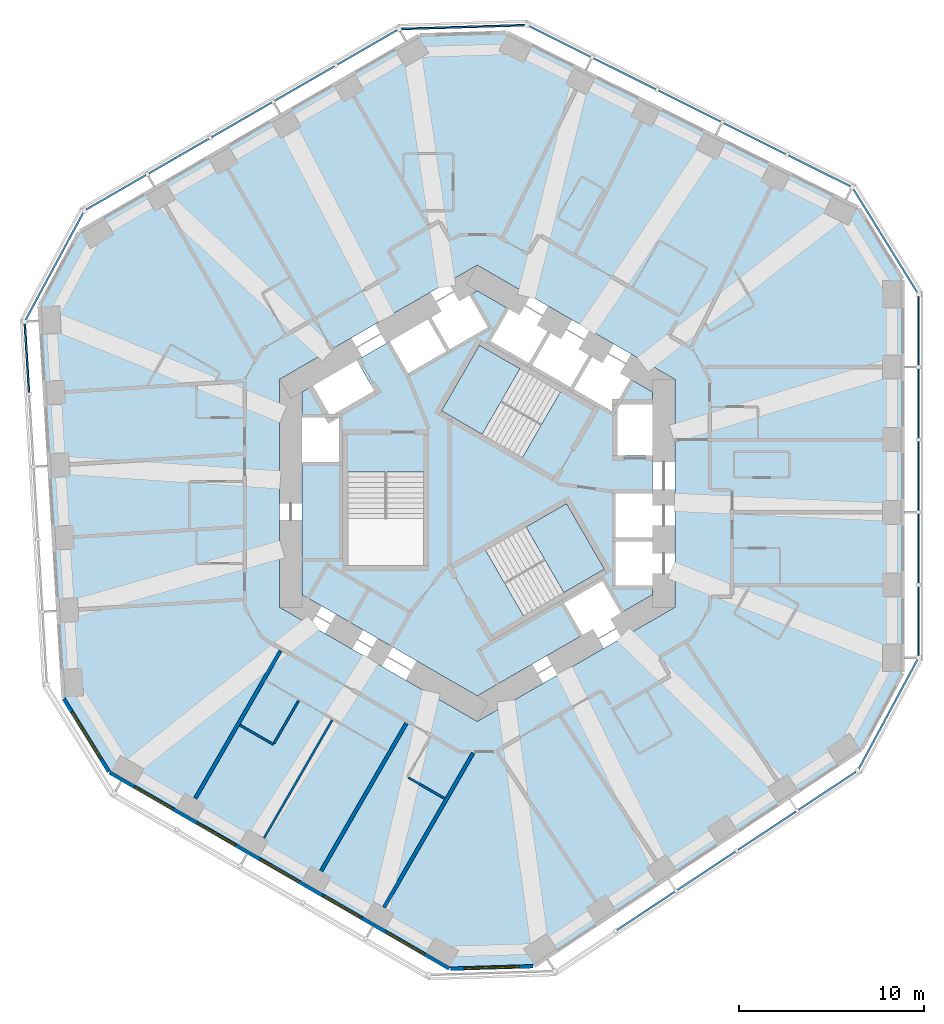
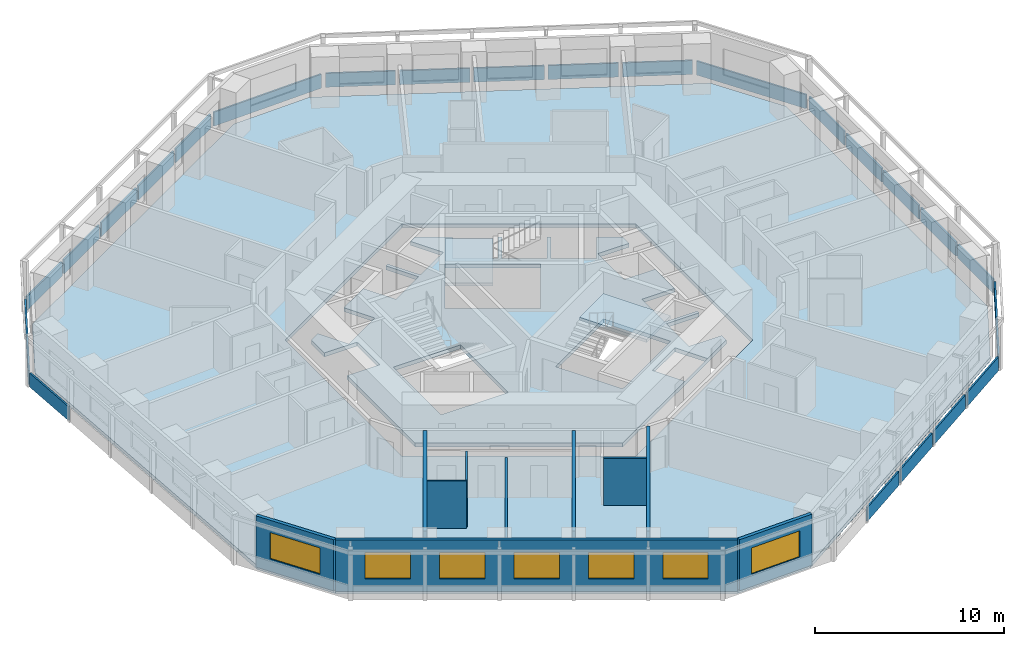
# One storey, part 3 of 12: 24 plates, 10 walls, 7 windows, 4 slabs, 7 openings, 11 elements without a shape of their own.
"""IFC4 building model written with IfcOpenShell, lengths in metres."""

from ifc_helpers import new_model, si_unit, direction, frame, frame_2d, origin, origin_2d, place, context, subcontext, project, spatial, polyline, rectangle, outline, extrude, material, layer, layer_set, type_object, element, fill, aggregate, save


model = new_model("IFC4")

# Units and contexts
model_context = context("Model", 3, precision=1e-05, world=origin(), true_north=direction((0.0, 1.0)))
body_context = subcontext(model_context, "Body", "Model", "MODEL_VIEW")
ifc_project = project(units=[si_unit("LENGTHUNIT", "METRE"), si_unit("AREAUNIT", "SQUARE_METRE"), si_unit("VOLUMEUNIT", "CUBIC_METRE"), si_unit("PLANEANGLEUNIT", "RADIAN"), si_unit("MASSUNIT", "GRAM", prefix="KILO")], contexts=[model_context])

# Site, building, storey
site_placement = place(None, origin())
site = spatial("IfcSite", under=ifc_project, at=site_placement, CompositionType="ELEMENT")
building_placement = place(site_placement, origin())
building = spatial("IfcBuilding", under=site, at=building_placement, Name="Vanh Sen Convention Tower", CompositionType="ELEMENT")
storey_placement = place(building_placement, frame((0.0, 0.0, 57.199951171875)))
storey = spatial("IfcBuildingStorey", under=building, at=storey_placement, Name="L11", CompositionType="ELEMENT", Elevation=57.199951171875)

# Slabs
ifc_material_1 = material(Name="Concrete C40/50", Category="concrete")
ifc_layer_1 = layer(ifc_material_1, 0.25)
ifc_layer_set_1 = layer_set([ifc_layer_1], Name="Concrete C40/50")
slab_type_1 = type_object("IfcSlabType", Name="Core slab 250", PredefinedType="FLOOR", material=ifc_layer_set_1)
slab_1_placement = place(storey_placement, frame((0.0, 0.0, -0.25)))
element("IfcSlab", 1, at=slab_1_placement, inside=storey, type_object=slab_type_1, Name="Core slab L11", PredefinedType="FLOOR", context=body_context, shape_type="SweptSolid", body=[
    extrude(outline(polyline([(9.5, 5.48486328125), (9.5, 4.800048828125), (7.60009765625, 4.800048828125), (7.60009765625, 2.050048828125), (9.5, 2.050048828125), (9.5, 0.0), (7.5, 0.0), (7.5, -2.39990234375), (9.5, -2.39990234375), (9.5, -2.60009765625), (7.5, -2.60009765625), (7.5, -5.0), (9.5, -5.0), (9.5, -5.48486328125), (0.0, -10.9697265625), (-9.5, -5.48486328125), (-9.5, 1.699951171875), (-7.5, 1.699951171875), (-7.5, 4.10009765625), (-9.5, 4.10009765625), (-9.5, 5.48486328125), (-8.906982421875, 5.8271484375), (-7.956787109375, 4.181884765625), (-5.575439453125, 5.556884765625), (-6.525390625, 7.2021484375), (-4.75, 8.227294921875), (-3.75, 6.4951171875), (-1.67138671875, 7.6953125), (-2.67138671875, 9.42724609375), (-2.498291015625, 9.527099609375), (-1.498291015625, 7.795166015625), (0.580078125, 8.9951171875), (-0.419921875, 10.727294921875), (0.0, 10.9697265625), (1.718994140625, 9.977294921875), (0.718994140625, 8.2451171875), (2.79736328125, 7.045166015625), (3.79736328125, 8.777099609375), (3.970703125, 8.67724609375), (2.970703125, 6.9453125), (5.049072265625, 5.7451171875), (6.049072265625, 7.477294921875), (6.22216796875, 7.377197265625), (5.22216796875, 5.645263671875), (7.30078125, 4.4453125), (8.30078125, 6.17724609375), (9.5, 5.48486328125)]), holes=[polyline([(-7.0, 3.14990234375), (-7.0, -3.909912109375), (-2.89990234375, -3.909912109375), (-2.89990234375, 3.14990234375), (-2.89990234375, 1.1494140625), (-7.0, 1.1494140625), (-7.0, 3.14990234375)]), polyline([(4.495361328125, 5.487548828125), (6.22802734375, 4.4873046875), (0.11376953125, 8.01708984375), (-1.936279296875, 4.466552734375), (2.4453125, 1.936767578125), (4.495361328125, 5.487548828125)]), polyline([(7.781005859375, -6.477294921875), (6.781005859375, -4.7451171875), (4.70263671875, -5.9453125), (5.70263671875, -7.67724609375), (7.781005859375, -6.477294921875)]), polyline([(0.45458984375, -3.086181640625), (2.504638671875, -6.63671875), (6.88623046875, -4.107177734375), (4.836181640625, -0.556396484375), (-1.278076171875, -4.08642578125), (0.45458984375, -3.086181640625)])]), origin(), (0.0, 0.0, 1.0), 0.25),
])
ifc_layer_2 = layer(ifc_material_1, 0.25)
ifc_layer_set_2 = layer_set([ifc_layer_2], Name="Concrete C40/50")
slab_type_2 = type_object("IfcSlabType", Name="Floor slab 250 REI 120", PredefinedType="FLOOR", material=ifc_layer_set_2)
slab_2_placement = place(storey_placement, frame((0.0, 0.0, -0.25)))
element("IfcSlab", 2, at=slab_2_placement, inside=storey, type_object=slab_type_2, Name="Floor slab L11 tower", PredefinedType="FLOOR", context=body_context, shape_type="SweptSolid", body=[
    extrude(outline(polyline([(23.0, -9.69921875), (23.0, 11.57373046875), (20.620361328125, 15.419189453125), (1.58251953125, 24.911376953125), (-3.10009765625, 24.768310546875), (-21.523193359375, 14.131591796875), (-23.663818359375, 10.14794921875), (-22.364990234375, -11.085205078125), (-19.89990234375, -15.069091796875), (-1.476806640625, -25.705322265625), (3.04345703125, -25.5673828125), (20.78271484375, -13.825927734375), (23.0, -9.69921875)]), holes=[polyline([(0.0, 12.355224609375), (-10.699951171875, 6.177490234375), (-10.699951171875, -6.177490234375), (0.0, -12.355224609375), (10.699951171875, -6.177490234375), (10.699951171875, 6.177490234375), (0.0, 12.355224609375)])]), origin(), (0.0, 0.0, 1.0), 0.25),
])

# Curtain wall, plates
ifc_material_2 = material(Name="Concrete C50/60", Category="concrete")
curtain_wall_type = type_object("IfcCurtainWallType", Name="Outer skin hotel zone", PredefinedType="NOTDEFINED", material=ifc_material_2)
curtain_wall_1_placement = place(storey_placement, origin())
curtain_wall_1 = element("IfcCurtainWall", 3, at=curtain_wall_1_placement, inside=storey, type_object=curtain_wall_type, Name="OUTER SKIN E L11", PredefinedType="NOTDEFINED")
ifc_layer_3 = layer(ifc_material_2, 0.10009765625)
ifc_layer_set_3 = layer_set([ifc_layer_3], Name="Concrete C50/60")
plate_type = type_object("IfcPlateType", Name="Outer skin precast screen panel 100", PredefinedType="CURTAIN_PANEL", material=ifc_layer_set_3)
plate_1_placement = place(storey_placement, frame((23.89990234375, -6.91943359375, 0.0), z_axis=(0.0, 0.0, 1.0), x_axis=(0.0, 1.0, 0.0)))
plate_1 = element("IfcPlate", 4, at=plate_1_placement, type_object=plate_type, Name="OUTER SKIN screen panel E-1", PredefinedType="CURTAIN_PANEL", context=body_context, shape_type="SweptSolid", body=[
    extrude(rectangle(XDim=3.709716796875, YDim=0.10009765625, at=origin_2d()), origin(), (0.0, 0.0, 1.0), 0.89990234375),
])
plate_2_placement = place(storey_placement, frame((23.89990234375, -2.997314453125, 0.0), z_axis=(0.0, 0.0, 1.0), x_axis=(0.0, 1.0, 0.0)))
plate_2 = element("IfcPlate", 5, at=plate_2_placement, type_object=plate_type, Name="OUTER SKIN screen panel E-2", PredefinedType="CURTAIN_PANEL", context=body_context, shape_type="SweptSolid", body=[
    extrude(rectangle(XDim=3.734619140625, YDim=0.10009765625, at=origin_2d()), origin(), (0.0, 0.0, 1.0), 0.89990234375),
])
plate_3_placement = place(storey_placement, frame((23.89990234375, 0.937255859375, 0.0), z_axis=(0.0, 0.0, 1.0), x_axis=(0.0, 1.0, 0.0)))
plate_3 = element("IfcPlate", 6, at=plate_3_placement, type_object=plate_type, Name="OUTER SKIN screen panel E-3", PredefinedType="CURTAIN_PANEL", context=body_context, shape_type="SweptSolid", body=[
    extrude(rectangle(XDim=3.734619140625, YDim=0.10009765625, at=origin_2d()), origin(), (0.0, 0.0, 1.0), 0.89990234375),
])
plate_4_placement = place(storey_placement, frame((23.89990234375, 4.871826171875, 0.0), z_axis=(0.0, 0.0, 1.0), x_axis=(0.0, 1.0, 0.0)))
plate_4 = element("IfcPlate", 7, at=plate_4_placement, type_object=plate_type, Name="OUTER SKIN screen panel E-4", PredefinedType="CURTAIN_PANEL", context=body_context, shape_type="SweptSolid", body=[
    extrude(rectangle(XDim=3.734619140625, YDim=0.10009765625, at=origin_2d()), origin(), (0.0, 0.0, 1.0), 0.89990234375),
])
plate_5_placement = place(storey_placement, frame((23.89990234375, 8.7939453125, 0.0), z_axis=(0.0, 0.0, 1.0), x_axis=(0.0, 1.0, 0.0)))
plate_5 = element("IfcPlate", 8, at=plate_5_placement, type_object=plate_type, Name="OUTER SKIN screen panel E-5", PredefinedType="CURTAIN_PANEL", context=body_context, shape_type="SweptSolid", body=[
    extrude(rectangle(XDim=3.709716796875, YDim=0.10009765625, at=origin_2d()), origin(), (0.0, 0.0, 1.0), 0.89990234375),
])
aggregate(curtain_wall_1, [plate_1, plate_2, plate_3, plate_4, plate_5])

# Curtain wall, plate
curtain_wall_2_placement = place(storey_placement, origin())
curtain_wall_2 = element("IfcCurtainWall", 9, at=curtain_wall_2_placement, inside=storey, type_object=curtain_wall_type, Name="OUTER SKIN CH1 L11", PredefinedType="NOTDEFINED")
plate_6_placement = place(storey_placement, frame((22.102783203125, 13.677734375, 0.0), z_axis=(0.0, 0.0, 1.0), x_axis=(-0.526212439506, 0.850353143411, 0.0)))
plate_6 = element("IfcPlate", 10, at=plate_6_placement, type_object=plate_type, Name="OUTER SKIN screen panel CH1-1", PredefinedType="CURTAIN_PANEL", context=body_context, shape_type="SweptSolid", body=[
    extrude(rectangle(XDim=6.580078125, YDim=0.10009765625, at=origin_2d()), origin(), (0.0, 0.0, 1.0), 0.89990234375),
])
aggregate(curtain_wall_2, [plate_6])

# Curtain wall, plates
curtain_wall_3_placement = place(storey_placement, origin())
curtain_wall_3 = element("IfcCurtainWall", 11, at=curtain_wall_3_placement, inside=storey, type_object=curtain_wall_type, Name="OUTER SKIN NE L11", PredefinedType="NOTDEFINED")
plate_7_placement = place(storey_placement, frame((18.5341796875, 17.465087890625, 0.0), z_axis=(0.0, 0.0, 1.0), x_axis=(-0.894935140363, 0.446196251154, 0.0)))
plate_7 = element("IfcPlate", 12, at=plate_7_placement, type_object=plate_type, Name="OUTER SKIN screen panel NE-1", PredefinedType="CURTAIN_PANEL", context=body_context, shape_type="SweptSolid", body=[
    extrude(rectangle(XDim=3.709716796875, YDim=0.10009765625, at=origin_2d()), origin(), (0.0, 0.0, 1.0), 0.89990234375),
])
plate_8_placement = place(storey_placement, frame((15.024169921875, 19.215087890625, 0.0), z_axis=(0.0, 0.0, 1.0), x_axis=(-0.894935140363, 0.446196251154, 0.0)))
plate_8 = element("IfcPlate", 13, at=plate_8_placement, type_object=plate_type, Name="OUTER SKIN screen panel NE-2", PredefinedType="CURTAIN_PANEL", context=body_context, shape_type="SweptSolid", body=[
    extrude(rectangle(XDim=3.734619140625, YDim=0.10009765625, at=origin_2d()), origin(), (0.0, 0.0, 1.0), 0.89990234375),
])
plate_9_placement = place(storey_placement, frame((11.5029296875, 20.970703125, 0.0), z_axis=(0.0, 0.0, 1.0), x_axis=(-0.894935140363, 0.446196251154, 0.0)))
plate_9 = element("IfcPlate", 14, at=plate_9_placement, type_object=plate_type, Name="OUTER SKIN screen panel NE-3", PredefinedType="CURTAIN_PANEL", context=body_context, shape_type="SweptSolid", body=[
    extrude(rectangle(XDim=3.734619140625, YDim=0.10009765625, at=origin_2d()), origin(), (0.0, 0.0, 1.0), 0.89990234375),
])
plate_10_placement = place(storey_placement, frame((7.981689453125, 22.726318359375, 0.0), z_axis=(0.0, 0.0, 1.0), x_axis=(-0.894935140363, 0.446196251154, 0.0)))
plate_10 = element("IfcPlate", 15, at=plate_10_placement, type_object=plate_type, Name="OUTER SKIN screen panel NE-4", PredefinedType="CURTAIN_PANEL", context=body_context, shape_type="SweptSolid", body=[
    extrude(rectangle(XDim=3.734619140625, YDim=0.10009765625, at=origin_2d()), origin(), (0.0, 0.0, 1.0), 0.89990234375),
])
plate_11_placement = place(storey_placement, frame((4.4716796875, 24.476318359375, 0.0), z_axis=(0.0, 0.0, 1.0), x_axis=(-0.894935140363, 0.446196251154, 0.0)))
plate_11 = element("IfcPlate", 16, at=plate_11_placement, type_object=plate_type, Name="OUTER SKIN screen panel NE-5", PredefinedType="CURTAIN_PANEL", context=body_context, shape_type="SweptSolid", body=[
    extrude(rectangle(XDim=3.709716796875, YDim=0.10009765625, at=origin_2d()), origin(), (0.0, 0.0, 1.0), 0.89990234375),
])
aggregate(curtain_wall_3, [plate_7, plate_8, plate_9, plate_10, plate_11])

# Curtain wall, plate
curtain_wall_4_placement = place(storey_placement, origin())
curtain_wall_4 = element("IfcCurtainWall", 17, at=curtain_wall_4_placement, inside=storey, type_object=curtain_wall_type, Name="OUTER SKIN CH2 L11", PredefinedType="NOTDEFINED")
plate_12_placement = place(storey_placement, frame((-0.771484375, 25.253662109375, 0.0), z_axis=(0.0, 0.0, 1.0), x_axis=(-0.999533644135, -0.030536768695, 0.0)))
plate_12 = element("IfcPlate", 18, at=plate_12_placement, type_object=plate_type, Name="OUTER SKIN screen panel CH2-1", PredefinedType="CURTAIN_PANEL", context=body_context, shape_type="SweptSolid", body=[
    extrude(rectangle(XDim=6.696044921875, YDim=0.10009765625, at=origin_2d()), origin(), (0.0, 0.0, 1.0), 0.89990234375),
])
aggregate(curtain_wall_4, [plate_12])

# Curtain wall, plates
curtain_wall_5_placement = place(storey_placement, origin())
curtain_wall_5 = element("IfcCurtainWall", 19, at=curtain_wall_5_placement, inside=storey, type_object=curtain_wall_type, Name="OUTER SKIN NW L11", PredefinedType="NOTDEFINED")
plate_13_placement = place(storey_placement, frame((-5.95751953125, 24.15771484375, 0.0), z_axis=(0.0, 0.0, 1.0), x_axis=(-0.866028021766, -0.499995465495, 0.0)))
plate_13 = element("IfcPlate", 20, at=plate_13_placement, type_object=plate_type, Name="OUTER SKIN screen panel NW-1", PredefinedType="CURTAIN_PANEL", context=body_context, shape_type="SweptSolid", body=[
    extrude(rectangle(XDim=3.709716796875, YDim=0.10009765625, at=origin_2d()), origin(), (0.0, 0.0, 1.0), 0.89990234375),
])
plate_14_placement = place(storey_placement, frame((-9.354248046875, 22.19677734375, 0.0), z_axis=(0.0, 0.0, 1.0), x_axis=(-0.866021040428, -0.500007557478, 0.0)))
plate_14 = element("IfcPlate", 21, at=plate_14_placement, type_object=plate_type, Name="OUTER SKIN screen panel NW-2", PredefinedType="CURTAIN_PANEL", context=body_context, shape_type="SweptSolid", body=[
    extrude(rectangle(XDim=3.734619140625, YDim=0.10009765625, at=origin_2d()), origin(), (0.0, 0.0, 1.0), 0.89990234375),
])
plate_15_placement = place(storey_placement, frame((-12.76171875, 20.2294921875, 0.0), z_axis=(0.0, 0.0, 1.0), x_axis=(-0.866028021766, -0.499995465495, 0.0)))
plate_15 = element("IfcPlate", 22, at=plate_15_placement, type_object=plate_type, Name="OUTER SKIN screen panel NW-3", PredefinedType="CURTAIN_PANEL", context=body_context, shape_type="SweptSolid", body=[
    extrude(rectangle(XDim=3.734619140625, YDim=0.10009765625, at=origin_2d()), origin(), (0.0, 0.0, 1.0), 0.89990234375),
])
plate_16_placement = place(storey_placement, frame((-16.169189453125, 18.26220703125, 0.0), z_axis=(0.0, 0.0, 1.0), x_axis=(-0.866028021766, -0.499995465495, 0.0)))
plate_16 = element("IfcPlate", 23, at=plate_16_placement, type_object=plate_type, Name="OUTER SKIN screen panel NW-4", PredefinedType="CURTAIN_PANEL", context=body_context, shape_type="SweptSolid", body=[
    extrude(rectangle(XDim=3.734619140625, YDim=0.10009765625, at=origin_2d()), origin(), (0.0, 0.0, 1.0), 0.89990234375),
])
plate_17_placement = place(storey_placement, frame((-19.56591796875, 16.301025390625, 0.0), z_axis=(0.0, 0.0, 1.0), x_axis=(-0.866021040428, -0.500007557478, 0.0)))
plate_17 = element("IfcPlate", 24, at=plate_17_placement, type_object=plate_type, Name="OUTER SKIN screen panel NW-5", PredefinedType="CURTAIN_PANEL", context=body_context, shape_type="SweptSolid", body=[
    extrude(rectangle(XDim=3.70947265625, YDim=0.10009765625, at=origin_2d()), origin(), (0.0, 0.0, 1.0), 0.89990234375),
])
aggregate(curtain_wall_5, [plate_13, plate_14, plate_15, plate_16, plate_17])

# Curtain wall, plate
curtain_wall_6_placement = place(storey_placement, origin())
curtain_wall_6 = element("IfcCurtainWall", 25, at=curtain_wall_6_placement, inside=storey, type_object=curtain_wall_type, Name="OUTER SKIN CH3 L11", PredefinedType="NOTDEFINED")
plate_18_placement = place(storey_placement, frame((-22.896728515625, 12.302978515625, 0.0), z_axis=(0.0, 0.0, 1.0), x_axis=(-0.47331812974, -0.880891564303, 0.0)))
plate_18 = element("IfcPlate", 26, at=plate_18_placement, type_object=plate_type, Name="OUTER SKIN screen panel CH3-1", PredefinedType="CURTAIN_PANEL", context=body_context, shape_type="SweptSolid", body=[
    extrude(rectangle(XDim=6.580078125, YDim=0.10009765625, at=origin_2d()), origin(), (0.0, 0.0, 1.0), 0.89990234375),
])
aggregate(curtain_wall_6, [plate_18])

curtain_wall_7_placement = place(storey_placement, origin())
curtain_wall_7 = element("IfcCurtainWall", 27, at=curtain_wall_7_placement, inside=storey, type_object=curtain_wall_type, Name="OUTER SKIN W L11", PredefinedType="NOTDEFINED")
plate_19_placement = place(storey_placement, frame((-24.39208984375, 7.318603515625, 0.0), z_axis=(0.0, 0.0, 1.0), x_axis=(0.061046797461, -0.99813490497, 0.0)))
plate_19 = element("IfcPlate", 28, at=plate_19_placement, type_object=plate_type, Name="OUTER SKIN screen panel W-1", PredefinedType="CURTAIN_PANEL", context=body_context, shape_type="SweptSolid", body=[
    extrude(rectangle(XDim=3.709716796875, YDim=0.10009765625, at=origin_2d()), origin(), (0.0, 0.0, 1.0), 0.89990234375),
])
aggregate(curtain_wall_7, [plate_19])

# Curtain wall, plates
curtain_wall_8_placement = place(storey_placement, origin())
curtain_wall_8 = element("IfcCurtainWall", 29, at=curtain_wall_8_placement, inside=storey, type_object=curtain_wall_type, Name="OUTER SKIN SE L11", PredefinedType="NOTDEFINED")
plate_20_placement = place(storey_placement, frame((9.128662109375, -22.618896484375, 0.0), z_axis=(0.0, 0.0, 1.0), x_axis=(0.833891601892, 0.55192825285, 0.0)))
plate_20 = element("IfcPlate", 30, at=plate_20_placement, type_object=plate_type, Name="OUTER SKIN screen panel SE-2", PredefinedType="CURTAIN_PANEL", context=body_context, shape_type="SweptSolid", body=[
    extrude(rectangle(XDim=3.734619140625, YDim=0.10009765625, at=origin_2d()), origin(), (0.0, 0.0, 1.0), 0.89990234375),
])
plate_21_placement = place(storey_placement, frame((12.40966796875, -20.447265625, 0.0), z_axis=(0.0, 0.0, 1.0), x_axis=(0.833880042151, 0.551945717714, 0.0)))
plate_21 = element("IfcPlate", 31, at=plate_21_placement, type_object=plate_type, Name="OUTER SKIN screen panel SE-3", PredefinedType="CURTAIN_PANEL", context=body_context, shape_type="SweptSolid", body=[
    extrude(rectangle(XDim=3.734619140625, YDim=0.10009765625, at=origin_2d()), origin(), (0.0, 0.0, 1.0), 0.89990234375),
])
plate_22_placement = place(storey_placement, frame((15.690673828125, -18.275390625, 0.0), z_axis=(0.0, 0.0, 1.0), x_axis=(0.833891601892, 0.55192825285, 0.0)))
plate_22 = element("IfcPlate", 32, at=plate_22_placement, type_object=plate_type, Name="OUTER SKIN screen panel SE-4", PredefinedType="CURTAIN_PANEL", context=body_context, shape_type="SweptSolid", body=[
    extrude(rectangle(XDim=3.734619140625, YDim=0.10009765625, at=origin_2d()), origin(), (0.0, 0.0, 1.0), 0.89990234375),
])
plate_23_placement = place(storey_placement, frame((18.961181640625, -16.11083984375, 0.0), z_axis=(0.0, 0.0, 1.0), x_axis=(0.833880042151, 0.551945717714, 0.0)))
plate_23 = element("IfcPlate", 33, at=plate_23_placement, type_object=plate_type, Name="OUTER SKIN screen panel SE-5", PredefinedType="CURTAIN_PANEL", context=body_context, shape_type="SweptSolid", body=[
    extrude(rectangle(XDim=3.709716796875, YDim=0.10009765625, at=origin_2d()), origin(), (0.0, 0.0, 1.0), 0.89990234375),
])
aggregate(curtain_wall_8, [plate_20, plate_21, plate_22, plate_23])

# Curtain wall, plate
curtain_wall_9_placement = place(storey_placement, origin())
curtain_wall_9 = element("IfcCurtainWall", 34, at=curtain_wall_9_placement, inside=storey, type_object=curtain_wall_type, Name="OUTER SKIN CH6 L11", PredefinedType="NOTDEFINED")
plate_24_placement = place(storey_placement, frame((22.256103515625, -11.95849609375, 0.0), z_axis=(0.0, 0.0, 1.0), x_axis=(0.473322742071, 0.880889086003, 0.0)))
plate_24 = element("IfcPlate", 35, at=plate_24_placement, type_object=plate_type, Name="OUTER SKIN screen panel CH6-1", PredefinedType="CURTAIN_PANEL", context=body_context, shape_type="SweptSolid", body=[
    extrude(rectangle(XDim=6.6962890625, YDim=0.10009765625, at=origin_2d()), origin(), (0.0, 0.0, 1.0), 0.89990234375),
])
aggregate(curtain_wall_9, [plate_24])

# Stair, slab
ifc_material_3 = material(Name="Concrete C50/60", Category="concrete")
stair_type_1 = type_object("IfcStairType", Name="Exit stair ST1 20 risers at 165.0", PredefinedType="HALF_TURN_STAIR", material=ifc_material_3)
stair_1_placement = place(storey_placement, origin())
stair_1 = element("IfcStair", 36, at=stair_1_placement, inside=storey, type_object=stair_type_1, Name="Exit stair ST1 L11", PredefinedType="HALF_TURN_STAIR")
ifc_layer_4 = layer(ifc_material_1, 0.199951171875)
ifc_layer_set_4 = layer_set([ifc_layer_4], Name="Concrete C40/50")
slab_type_3 = type_object("IfcSlabType", Name="Stair landing 200", PredefinedType="LANDING", material=ifc_layer_set_4)
slab_3_placement = place(storey_placement, frame((0.0, 0.0, 1.449951171875)))
slab_3 = element("IfcSlab", 37, at=slab_3_placement, type_object=slab_type_3, Name="ST1 landing 1", PredefinedType="LANDING", context=body_context, shape_type="SweptSolid", body=[
    extrude(outline(polyline([(2.314208984375, 6.746826171875), (0.11376953125, 8.01708984375), (-1.936279296875, 4.466552734375), (0.26416015625, 3.196044921875), (2.314208984375, 6.746826171875)])), origin(), (0.0, 0.0, 1.0), 0.2001953125),
])
aggregate(stair_1, [slab_3])

stair_type_2 = type_object("IfcStairType", Name="Exit stair ST3 20 risers at 165.0", PredefinedType="HALF_TURN_STAIR", material=ifc_material_3)
stair_2_placement = place(storey_placement, origin())
stair_2 = element("IfcStair", 38, at=stair_2_placement, inside=storey, type_object=stair_type_2, Name="Exit stair ST3 L11", PredefinedType="HALF_TURN_STAIR")
slab_4_placement = place(storey_placement, frame((0.0, 0.0, 1.449951171875)))
slab_4 = element("IfcSlab", 39, at=slab_4_placement, type_object=slab_type_3, Name="ST3 landing 1", PredefinedType="LANDING", context=body_context, shape_type="SweptSolid", body=[
    extrude(outline(polyline([(4.685791015625, -5.37744140625), (6.88623046875, -4.107177734375), (4.836181640625, -0.556396484375), (2.6357421875, -1.826904296875), (4.685791015625, -5.37744140625)])), origin(), (0.0, 0.0, 1.0), 0.2001953125),
])
aggregate(stair_2, [slab_4])

# Walls
ifc_material_4 = material(Name="Moisture-resistant gypsum board on steel studs", Category="steel")
ifc_layer_5 = layer(ifc_material_4, 0.1201171875)
ifc_layer_set_5 = layer_set([ifc_layer_5], Name="Moisture-resistant gypsum board on steel studs")
wall_type_1 = type_object("IfcWallType", Name="Bathroom partition 120", PredefinedType="PARTITIONING", material=ifc_layer_set_5)
wall_1_placement = place(storey_placement, frame((-12.86279296875, -12.5498046875, 0.0), z_axis=(0.0, 0.0, 1.0), x_axis=(0.866009402589, -0.500027713859, 0.0)))
element("IfcWall", 40, at=wall_1_placement, inside=storey, type_object=wall_type_1, Name="Bathroom partition 120", PredefinedType="PARTITIONING", context=body_context, shape_type="SweptSolid", body=[
    extrude(rectangle(XDim=2.10009765625, YDim=0.1201171875, at=frame_2d((1.050048828125, 0.0))), origin(), (0.0, 0.0, 1.0), 3.050048828125),
])
wall_2_placement = place(storey_placement, frame((-11.550537109375, -18.677001953125, 0.0), z_axis=(0.0, 0.0, 1.0), x_axis=(0.500008425378, 0.866020539336, 0.0)))
element("IfcWall", 41, at=wall_2_placement, inside=storey, type_object=wall_type_1, Name="Bathroom partition 120", PredefinedType="PARTITIONING", context=body_context, shape_type="SweptSolid", body=[
    extrude(rectangle(XDim=7.389892578125, YDim=0.1201171875, at=frame_2d((3.69482421875, 0.0))), origin(), (0.0, 0.0, 1.0), 2.60009765625),
])
wall_3_placement = place(storey_placement, frame((-11.01416015625, -13.5478515625, 0.0), z_axis=(0.0, 0.0, 1.0), x_axis=(0.499980071345, 0.866036909293, 0.0)))
element("IfcWall", 42, at=wall_3_placement, inside=storey, type_object=wall_type_1, Name="Bathroom partition 120", PredefinedType="PARTITIONING", context=body_context, shape_type="SweptSolid", body=[
    extrude(rectangle(XDim=2.6796875, YDim=0.1201171875, at=frame_2d((1.33984375, 0.0))), origin(), (0.0, 0.0, 1.0), 3.050048828125),
])
wall_4_placement = place(storey_placement, frame((-1.763671875, -16.533203125, 0.0), z_axis=(0.0, 0.0, 1.0), x_axis=(-0.866008641419, 0.500029032144, 0.0)))
element("IfcWall", 43, at=wall_4_placement, inside=storey, type_object=wall_type_1, Name="Bathroom partition 120", PredefinedType="PARTITIONING", context=body_context, shape_type="SweptSolid", body=[
    extrude(rectangle(XDim=2.274658203125, YDim=0.1201171875, at=frame_2d((1.13720703125, 0.0))), origin(), (0.0, 0.0, 1.0), 3.050048828125),
])

# Wall, opening, window
ifc_material_5 = material(Name="Insulated lightweight infill wall")
ifc_layer_6 = layer(ifc_material_5, 0.199951171875)
ifc_layer_set_6 = layer_set([ifc_layer_6], Name="Insulated lightweight infill wall")
wall_type_2 = type_object("IfcWallType", Name="External wall 200", PredefinedType="STANDARD", material=ifc_layer_set_6)
wall_5_placement = place(storey_placement, frame((-22.40087890625, -11.122314453125, 0.0), z_axis=(0.0, 0.0, 1.0), x_axis=(0.526197679914, -0.850362276711, 0.0)))
wall_5 = element("IfcWall", 44, at=wall_5_placement, inside=storey, type_object=wall_type_2, Name="External wall CH4 L11", PredefinedType="STANDARD", context=body_context, shape_type="SweptSolid", body=[
    extrude(rectangle(XDim=4.65966796875, YDim=0.199951171875, at=frame_2d((2.329833984375, 0.0))), origin(), (0.0, 0.0, 1.0), 3.300048828125),
])
opening_1_placement = place(wall_5_placement, frame((0.829833984375, 0.0, 0.800048828125)))
opening_1 = element("IfcOpeningElement", 45, at=opening_1_placement, cuts=wall_5, Name="Opening WH2-CH41", PredefinedType="OPENING", context=body_context, shape_type="SweptSolid", body=[
    extrude(rectangle(XDim=3.0, YDim=1.699951171875, at=frame_2d((1.5, 0.85009765625))), frame((0.0, 0.10986328125, 0.0), z_axis=(0.0, -1.0, 0.0), x_axis=(1.0, 0.0, 0.0)), (0.0, 0.0, 1.0), 0.219970703125),
])
ifc_material_6 = material(Name="Aluminium frame with clear low-emissivity glass", Category="aluminium")
window_type_1 = type_object("IfcWindowType", Name="Hotel window 3000 x 1700", PartitioningType="SINGLE_PANEL", PredefinedType="WINDOW", material=ifc_material_6)
window_1_placement = place(opening_1_placement, origin())
window_1 = element("IfcWindow", 46, at=window_1_placement, inside=storey, type_object=window_type_1, Name="Window WH2-CH41", OverallHeight=1.699951171875, OverallWidth=3.0, PartitioningType="SINGLE_PANEL", PredefinedType="WINDOW", context=body_context, shape_type="SweptSolid", body=[
    extrude(rectangle(XDim=3.0, YDim=1.699951171875, at=frame_2d((1.5, 0.85009765625))), frame((0.0, 0.030029296875, 0.0), z_axis=(0.0, -1.0, 0.0), x_axis=(1.0, 0.0, 0.0)), (0.0, 0.0, 1.0), 0.06005859375),
])
fill(opening_1, window_1)

# Wall, openings, windows
wall_6_placement = place(storey_placement, frame((-19.913818359375, -15.11865234375, 0.0), z_axis=(0.0, 0.0, 1.0), x_axis=(0.866025418898, -0.499999973822, 0.0)))
wall_6 = element("IfcWall", 47, at=wall_6_placement, inside=storey, type_object=wall_type_2, Name="External wall SW L11", PredefinedType="STANDARD", context=body_context, shape_type="SweptSolid", body=[
    extrude(rectangle(XDim=21.24609375, YDim=0.199951171875, at=frame_2d((10.623046875, 0.0))), origin(), (0.0, 0.0, 1.0), 3.300048828125),
])
opening_2_placement = place(wall_6_placement, frame((1.5546875, 0.0, 0.800048828125)))
opening_2 = element("IfcOpeningElement", 48, at=opening_2_placement, cuts=wall_6, Name="Opening WH1-SW1", PredefinedType="OPENING", context=body_context, shape_type="SweptSolid", body=[
    extrude(rectangle(XDim=2.39990234375, YDim=1.699951171875, at=frame_2d((1.199951171875, 0.85009765625))), frame((0.0, 0.10986328125, 0.0), z_axis=(0.0, -1.0, 0.0), x_axis=(1.0, 0.0, 0.0)), (0.0, 0.0, 1.0), 0.219970703125),
])
opening_3_placement = place(wall_6_placement, frame((5.4892578125, 0.0, 0.800048828125)))
opening_3 = element("IfcOpeningElement", 49, at=opening_3_placement, cuts=wall_6, Name="Opening WH1-SW2", PredefinedType="OPENING", context=body_context, shape_type="SweptSolid", body=[
    extrude(rectangle(XDim=2.39990234375, YDim=1.699951171875, at=frame_2d((1.199951171875, 0.85009765625))), frame((0.0, 0.10986328125, 0.0), z_axis=(0.0, -1.0, 0.0), x_axis=(1.0, 0.0, 0.0)), (0.0, 0.0, 1.0), 0.219970703125),
])
opening_4_placement = place(wall_6_placement, frame((9.423828125, 0.0, 0.800048828125)))
opening_4 = element("IfcOpeningElement", 50, at=opening_4_placement, cuts=wall_6, Name="Opening WH1-SW3", PredefinedType="OPENING", context=body_context, shape_type="SweptSolid", body=[
    extrude(rectangle(XDim=2.39990234375, YDim=1.699951171875, at=frame_2d((1.199951171875, 0.85009765625))), frame((0.0, 0.10986328125, 0.0), z_axis=(0.0, -1.0, 0.0), x_axis=(1.0, 0.0, 0.0)), (0.0, 0.0, 1.0), 0.219970703125),
])
opening_5_placement = place(wall_6_placement, frame((13.3583984375, 0.0, 0.800048828125)))
opening_5 = element("IfcOpeningElement", 51, at=opening_5_placement, cuts=wall_6, Name="Opening WH1-SW4", PredefinedType="OPENING", context=body_context, shape_type="SweptSolid", body=[
    extrude(rectangle(XDim=2.39990234375, YDim=1.699951171875, at=frame_2d((1.199951171875, 0.85009765625))), frame((0.0, 0.10986328125, 0.0), z_axis=(0.0, -1.0, 0.0), x_axis=(1.0, 0.0, 0.0)), (0.0, 0.0, 1.0), 0.219970703125),
])
opening_6_placement = place(wall_6_placement, frame((17.293212890625, 0.0, 0.800048828125)))
opening_6 = element("IfcOpeningElement", 52, at=opening_6_placement, cuts=wall_6, Name="Opening WH1-SW5", PredefinedType="OPENING", context=body_context, shape_type="SweptSolid", body=[
    extrude(rectangle(XDim=2.39990234375, YDim=1.699951171875, at=frame_2d((1.199951171875, 0.85009765625))), frame((0.0, 0.10986328125, 0.0), z_axis=(0.0, -1.0, 0.0), x_axis=(1.0, 0.0, 0.0)), (0.0, 0.0, 1.0), 0.219970703125),
])
window_type_2 = type_object("IfcWindowType", Name="Hotel window 2400 x 1700", PartitioningType="SINGLE_PANEL", PredefinedType="WINDOW", material=ifc_material_6)
window_2_placement = place(opening_2_placement, origin())
window_2 = element("IfcWindow", 53, at=window_2_placement, inside=storey, type_object=window_type_2, Name="Window WH1-SW1", OverallHeight=1.699951171875, OverallWidth=2.39990234375, PartitioningType="SINGLE_PANEL", PredefinedType="WINDOW", context=body_context, shape_type="SweptSolid", body=[
    extrude(rectangle(XDim=2.39990234375, YDim=1.699951171875, at=frame_2d((1.199951171875, 0.85009765625))), frame((0.0, 0.030029296875, 0.0), z_axis=(0.0, -1.0, 0.0), x_axis=(1.0, 0.0, 0.0)), (0.0, 0.0, 1.0), 0.06005859375),
])
fill(opening_2, window_2)
window_3_placement = place(opening_3_placement, origin())
window_3 = element("IfcWindow", 54, at=window_3_placement, inside=storey, type_object=window_type_2, Name="Window WH1-SW2", OverallHeight=1.699951171875, OverallWidth=2.39990234375, PartitioningType="SINGLE_PANEL", PredefinedType="WINDOW", context=body_context, shape_type="SweptSolid", body=[
    extrude(rectangle(XDim=2.39990234375, YDim=1.699951171875, at=frame_2d((1.199951171875, 0.85009765625))), frame((0.0, 0.030029296875, 0.0), z_axis=(0.0, -1.0, 0.0), x_axis=(1.0, 0.0, 0.0)), (0.0, 0.0, 1.0), 0.06005859375),
])
fill(opening_3, window_3)
window_4_placement = place(opening_4_placement, origin())
window_4 = element("IfcWindow", 55, at=window_4_placement, inside=storey, type_object=window_type_2, Name="Window WH1-SW3", OverallHeight=1.699951171875, OverallWidth=2.39990234375, PartitioningType="SINGLE_PANEL", PredefinedType="WINDOW", context=body_context, shape_type="SweptSolid", body=[
    extrude(rectangle(XDim=2.39990234375, YDim=1.699951171875, at=frame_2d((1.199951171875, 0.85009765625))), frame((0.0, 0.030029296875, 0.0), z_axis=(0.0, -1.0, 0.0), x_axis=(1.0, 0.0, 0.0)), (0.0, 0.0, 1.0), 0.06005859375),
])
fill(opening_4, window_4)
window_5_placement = place(opening_5_placement, origin())
window_5 = element("IfcWindow", 56, at=window_5_placement, inside=storey, type_object=window_type_2, Name="Window WH1-SW4", OverallHeight=1.699951171875, OverallWidth=2.39990234375, PartitioningType="SINGLE_PANEL", PredefinedType="WINDOW", context=body_context, shape_type="SweptSolid", body=[
    extrude(rectangle(XDim=2.39990234375, YDim=1.699951171875, at=frame_2d((1.199951171875, 0.85009765625))), frame((0.0, 0.030029296875, 0.0), z_axis=(0.0, -1.0, 0.0), x_axis=(1.0, 0.0, 0.0)), (0.0, 0.0, 1.0), 0.06005859375),
])
fill(opening_5, window_5)
window_6_placement = place(opening_6_placement, origin())
window_6 = element("IfcWindow", 57, at=window_6_placement, inside=storey, type_object=window_type_2, Name="Window WH1-SW5", OverallHeight=1.699951171875, OverallWidth=2.39990234375, PartitioningType="SINGLE_PANEL", PredefinedType="WINDOW", context=body_context, shape_type="SweptSolid", body=[
    extrude(rectangle(XDim=2.39990234375, YDim=1.699951171875, at=frame_2d((1.199951171875, 0.85009765625))), frame((0.0, 0.030029296875, 0.0), z_axis=(0.0, -1.0, 0.0), x_axis=(1.0, 0.0, 0.0)), (0.0, 0.0, 1.0), 0.06005859375),
])
fill(opening_6, window_6)

# Wall, opening, window
wall_7_placement = place(storey_placement, frame((-1.461181640625, -25.7548828125, 0.0), z_axis=(0.0, 0.0, 1.0), x_axis=(0.999533823446, 0.030530898895, 0.0)))
wall_7 = element("IfcWall", 58, at=wall_7_placement, inside=storey, type_object=wall_type_2, Name="External wall CH5 L11", PredefinedType="STANDARD", context=body_context, shape_type="SweptSolid", body=[
    extrude(rectangle(XDim=4.494140625, YDim=0.199951171875, at=frame_2d((2.2470703125, 0.0))), origin(), (0.0, 0.0, 1.0), 3.300048828125),
])
opening_7_placement = place(wall_7_placement, frame((0.7470703125, 0.0, 0.800048828125)))
opening_7 = element("IfcOpeningElement", 59, at=opening_7_placement, cuts=wall_7, Name="Opening WH2-CH51", PredefinedType="OPENING", context=body_context, shape_type="SweptSolid", body=[
    extrude(rectangle(XDim=3.0, YDim=1.699951171875, at=frame_2d((1.5, 0.85009765625))), frame((0.0, 0.10986328125, 0.0), z_axis=(0.0, -1.0, 0.0), x_axis=(1.0, 0.0, 0.0)), (0.0, 0.0, 1.0), 0.219970703125),
])
window_7_placement = place(opening_7_placement, origin())
window_7 = element("IfcWindow", 60, at=window_7_placement, inside=storey, type_object=window_type_1, Name="Window WH2-CH51", OverallHeight=1.699951171875, OverallWidth=3.0, PartitioningType="SINGLE_PANEL", PredefinedType="WINDOW", context=body_context, shape_type="SweptSolid", body=[
    extrude(rectangle(XDim=3.0, YDim=1.699951171875, at=frame_2d((1.5, 0.85009765625))), frame((0.0, 0.030029296875, 0.0), z_axis=(0.0, -1.0, 0.0), x_axis=(1.0, 0.0, 0.0)), (0.0, 0.0, 1.0), 0.06005859375),
])
fill(opening_7, window_7)

# Walls
ifc_material_7 = material(Name="Gypsum board on steel studs with mineral wool", Category="steel")
ifc_layer_7 = layer(ifc_material_7, 0.199951171875)
ifc_layer_set_7 = layer_set([ifc_layer_7], Name="Gypsum board on steel studs with mineral wool")
wall_type_3 = type_object("IfcWallType", Name="Hotel party wall 200", PredefinedType="PARTITIONING", material=ifc_layer_set_7)
wall_8_placement = place(storey_placement, frame((-15.2744140625, -16.527099609375, 0.0), z_axis=(0.0, 0.0, 1.0), x_axis=(0.49998823431, 0.866032196602, 0.0)))
element("IfcWall", 61, at=wall_8_placement, inside=storey, type_object=wall_type_3, Name="Hotel party wall 200", PredefinedType="PARTITIONING", context=body_context, shape_type="SweptSolid", body=[
    extrude(rectangle(XDim=9.250244140625, YDim=0.199951171875, at=frame_2d((4.625, 0.0))), origin(), (0.0, 0.0, 1.0), 3.050048828125),
])
wall_9_placement = place(storey_placement, frame((-8.459716796875, -20.46142578125, 0.0), z_axis=(0.0, 0.0, 1.0), x_axis=(0.499999662836, 0.866025598446, 0.0)))
element("IfcWall", 62, at=wall_9_placement, inside=storey, type_object=wall_type_3, Name="Hotel party wall 200", PredefinedType="PARTITIONING", context=body_context, shape_type="SweptSolid", body=[
    extrude(rectangle(XDim=9.25, YDim=0.199951171875, at=frame_2d((4.625, 0.0))), origin(), (0.0, 0.0, 1.0), 3.050048828125),
])
wall_10_placement = place(storey_placement, frame((-5.052001953125, -22.4287109375, 0.0), z_axis=(0.0, 0.0, 1.0), x_axis=(0.50000569793, 0.866022114058, 0.0)))
element("IfcWall", 63, at=wall_10_placement, inside=storey, type_object=wall_type_3, Name="Hotel party wall 200", PredefinedType="PARTITIONING", context=body_context, shape_type="SweptSolid", body=[
    extrude(rectangle(XDim=9.64990234375, YDim=0.199951171875, at=frame_2d((4.824951171875, 0.0))), origin(), (0.0, 0.0, 1.0), 3.050048828125),
])

save(model, "model.ifc")
